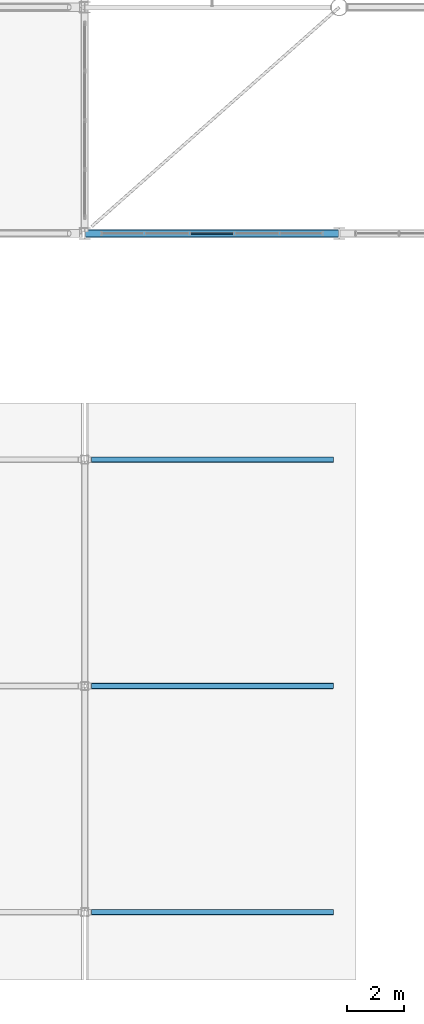
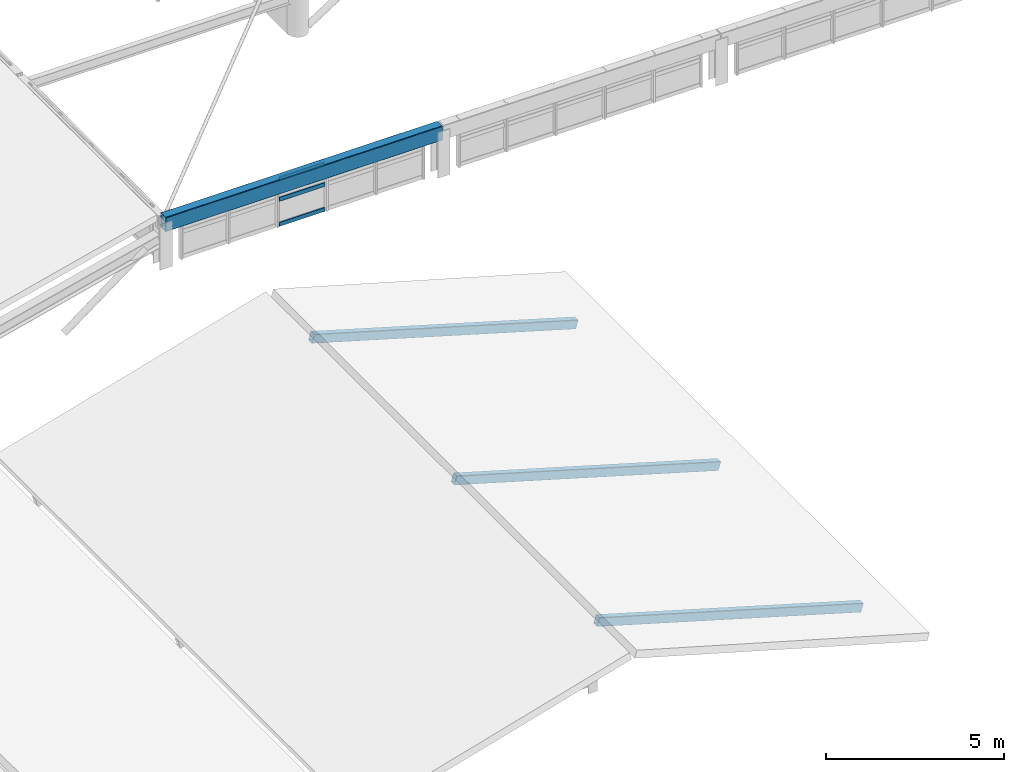
# One storey, part 13 of 128: 6 members, 1 beam, 1 element without a shape of its own.
"""IFC4 building model written with IfcOpenShell, lengths in metres."""

from ifc_helpers import new_model, si_unit, derived_unit, direction, frame, origin, origin_2d, place, context, subcontext, project, spatial, hollow_rectangle, extrude, material, material_profile, profile_set, type_object, element, aggregate, save


model = new_model("IFC4")

# Units and contexts
model_context = context("Model", 3, precision=1e-05, world=origin(), true_north=direction((0.0, 1.0)))
body_context = subcontext(model_context, "Body", "Model", "MODEL_VIEW")
ifc_project = project(units=[si_unit("LENGTHUNIT", "METRE"), si_unit("AREAUNIT", "SQUARE_METRE"), si_unit("VOLUMEUNIT", "CUBIC_METRE"), si_unit("PLANEANGLEUNIT", "RADIAN"), si_unit("MASSUNIT", "GRAM", prefix="KILO"), derived_unit("THERMALTRANSMITTANCEUNIT", [(si_unit("MASSUNIT", "GRAM", prefix="KILO"), 1), (si_unit("TIMEUNIT", "SECOND"), -3), (si_unit("THERMODYNAMICTEMPERATUREUNIT", "KELVIN"), -1)])], contexts=[model_context])

# Site, building, storey
site_placement = place(None, origin())
site = spatial("IfcSite", under=ifc_project, at=site_placement, CompositionType="ELEMENT")
building_placement = place(site_placement, origin())
building = spatial("IfcBuilding", under=site, at=building_placement, Name="Zhenchuan Archway Interchange", CompositionType="ELEMENT")
storey_placement = place(building_placement, frame((0.0, 0.0, 14.39990234375)))
storey = spatial("IfcBuildingStorey", under=building, at=storey_placement, Name="L03", CompositionType="ELEMENT", Elevation=14.39990234375)

# Beam
ifc_material_1 = material(Name="Steel Q390", Category="steel")
ifc_material_profile_1 = material_profile(ifc_material_1, hollow_rectangle(XDim=0.300048828125, YDim=0.5, WallThickness=0.01611328125, InnerFilletRadius=0.01611328125, OuterFilletRadius=0.031982421875, at=origin_2d()), Name="RHS 500x300x16")
ifc_profile_set_1 = profile_set([ifc_material_profile_1], Name="Steel Q390")
beam_type = type_object("IfcBeamType", Name="BM_RING_RHS500", PredefinedType="BEAM", material=ifc_profile_set_1)
beam_placement = place(storey_placement, frame((27.02001953125, 24.0, 1.4501953125), z_axis=(1.0, 0.0, 0.0), x_axis=(0.0, 1.0, 0.0)))
element("IfcBeam", 1, at=beam_placement, inside=storey, type_object=beam_type, Name="CONCOURSE CABLE-NET RING BEAM S-1", PredefinedType="BEAM", context=body_context, shape_type="SweptSolid", body=[
    extrude(hollow_rectangle(XDim=0.300048828125, YDim=0.5, WallThickness=0.01611328125, InnerFilletRadius=0.01611328125, OuterFilletRadius=0.031982421875, at=origin_2d()), origin(), (0.0, 0.0, 1.0), 8.9599609375),
])

# Curtain wall, members
ifc_material_2 = material(Name="Anodised Aluminium", Category="aluminium")
curtain_wall_type = type_object("IfcCurtainWallType", Name="CW_UNIT_4", PredefinedType="NOTDEFINED", material=ifc_material_2)
curtain_wall_placement = place(storey_placement, origin())
curtain_wall = element("IfcCurtainWall", 2, at=curtain_wall_placement, inside=storey, type_object=curtain_wall_type, Name="Unitised curtain wall CW:L03:RING-S1", PredefinedType="NOTDEFINED")
ifc_material_profile_2 = material_profile(ifc_material_2, hollow_rectangle(XDim=0.06005859375, YDim=0.139892578125, WallThickness=0.00341796875, InnerFilletRadius=0.00341796875, OuterFilletRadius=0.007080078125, at=origin_2d()), Name="ALU 140x60x3.5")
ifc_profile_set_2 = profile_set([ifc_material_profile_2], Name="Anodised Aluminium")
member_type_1 = type_object("IfcMemberType", Name="CW_TRN_140", PredefinedType="USERDEFINED", material=ifc_profile_set_2)
member_1_placement = place(storey_placement, frame((30.763916015625, 24.0, 0.080078125), z_axis=(1.0, 0.0, 0.0), x_axis=(0.0, 1.0, 0.0)))
member_1 = element("IfcMember", 3, at=member_1_placement, type_object=member_type_1, Name="CW:L03:RING-S1 transom 2-1", ObjectType="TRANSOM", PredefinedType="USERDEFINED", context=body_context, shape_type="SweptSolid", body=[
    extrude(hollow_rectangle(XDim=0.06005859375, YDim=0.139892578125, WallThickness=0.00341796875, InnerFilletRadius=0.00341796875, OuterFilletRadius=0.007080078125, at=origin_2d()), origin(), (0.0, 0.0, 1.0), 1.47216796875),
])
member_2_placement = place(storey_placement, frame((30.763916015625, 24.0, 0.93310546875), z_axis=(1.0, 0.0, 0.0), x_axis=(0.0, 1.0, 0.0)))
member_2 = element("IfcMember", 4, at=member_2_placement, type_object=member_type_1, Name="CW:L03:RING-S1 transom 2-2", ObjectType="TRANSOM", PredefinedType="USERDEFINED", context=body_context, shape_type="SweptSolid", body=[
    extrude(hollow_rectangle(XDim=0.06005859375, YDim=0.139892578125, WallThickness=0.00341796875, InnerFilletRadius=0.00341796875, OuterFilletRadius=0.007080078125, at=origin_2d()), origin(), (0.0, 0.0, 1.0), 1.47216796875),
])
member_3_placement = place(storey_placement, frame((30.763916015625, 24.0, 1.6201171875), z_axis=(1.0, 0.0, 0.0), x_axis=(0.0, 1.0, 0.0)))
member_3 = element("IfcMember", 5, at=member_3_placement, type_object=member_type_1, Name="CW:L03:RING-S1 transom 2-3", ObjectType="TRANSOM", PredefinedType="USERDEFINED", context=body_context, shape_type="SweptSolid", body=[
    extrude(hollow_rectangle(XDim=0.06005859375, YDim=0.139892578125, WallThickness=0.00341796875, InnerFilletRadius=0.00341796875, OuterFilletRadius=0.007080078125, at=origin_2d()), origin(), (0.0, 0.0, 1.0), 1.47216796875),
])
aggregate(curtain_wall, [member_1, member_2, member_3])

# Members
ifc_material_3 = material(Name="Steel Q355", Category="steel")
ifc_material_profile_3 = material_profile(ifc_material_3, hollow_rectangle(XDim=0.199951171875, YDim=0.300048828125, WallThickness=0.010009765625, InnerFilletRadius=0.010009765625, OuterFilletRadius=0.02001953125, at=origin_2d()), Name="RHS 300x200x10")
ifc_profile_set_3 = profile_set([ifc_material_profile_3], Name="Steel Q355")
member_type_2 = type_object("IfcMemberType", Name="MB_RHS300", PredefinedType="CHORD", material=ifc_profile_set_3)
for number, where, z_axis, x_axis, name in (
    (6, (27.199951171875, 0.0, 2.300048828125), (0.959811619482, 0.0, -0.28064506963), (0.0, 1.0, 0.0), "Cycle Hub folded-plate rafter S-4"),
    (7, (27.199951171875, 8.0, 2.300048828125), (0.959811619482, 0.0, -0.28064506963), (0.0, 1.0, 0.0), "Cycle Hub folded-plate rafter M-4"),
    (8, (27.199951171875, 16.0, 2.300048828125), (0.959811619482, 0.0, -0.28064506963), (0.0, 1.0, 0.0), "Cycle Hub folded-plate rafter N-4"),
):
    element("IfcMember", number, at=place(storey_placement, frame(where, z_axis=z_axis, x_axis=x_axis)), inside=storey, type_object=member_type_2, Name=name, PredefinedType="CHORD", context=body_context, shape_type="SweptSolid", body=[
        extrude(hollow_rectangle(XDim=0.199951171875, YDim=0.300048828125, WallThickness=0.010009765625, InnerFilletRadius=0.010009765625, OuterFilletRadius=0.02001953125, at=origin_2d()), origin(), (0.0, 0.0, 1.0), 8.907958984375),
    ])

save(model, "model.ifc")
